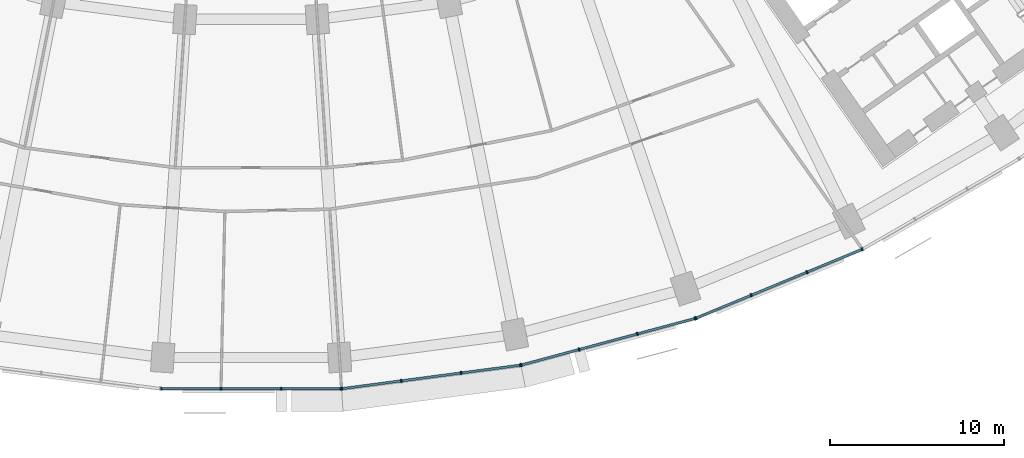
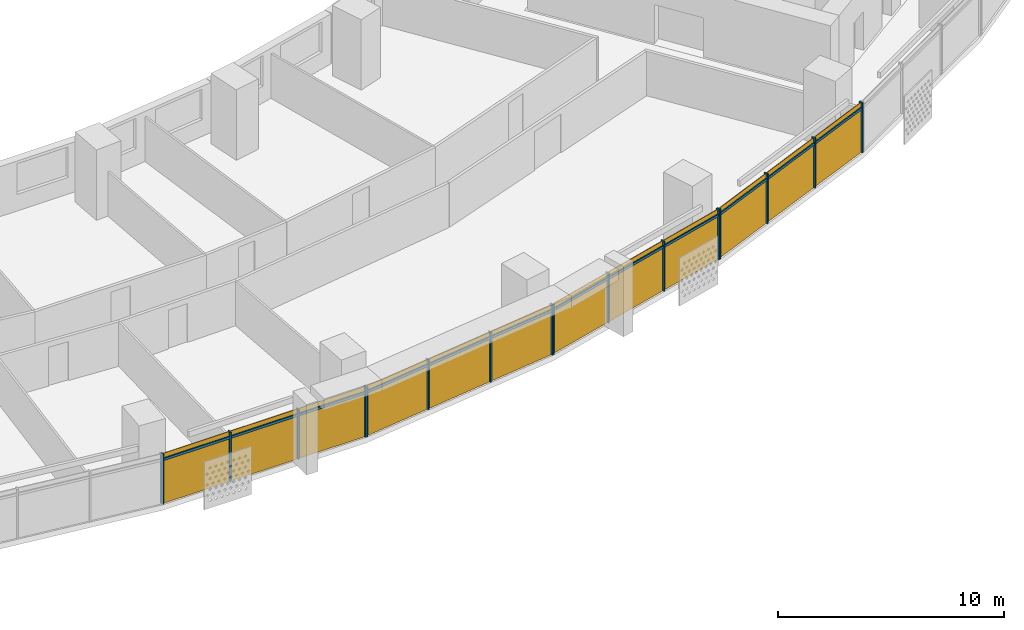
# One storey, part 21 of 31: 28 members, 4 curtain walls.
"""IFC4 building model written with IfcOpenShell, lengths in metres."""

from ifc_helpers import new_model, si_unit, direction, frame, origin, origin_2d, place, context, subcontext, project, spatial, rectangle, extrude, material, material_profile, profile_set, type_object, element, aggregate, save


model = new_model("IFC4")

# Units and contexts
model_context = context("Model", 3, precision=1e-05, world=origin(), true_north=direction((0.0, 1.0)))
body_context = subcontext(model_context, "Body", "Model", "MODEL_VIEW")
ifc_project = project(units=[si_unit("LENGTHUNIT", "METRE"), si_unit("AREAUNIT", "SQUARE_METRE"), si_unit("VOLUMEUNIT", "CUBIC_METRE"), si_unit("PLANEANGLEUNIT", "RADIAN"), si_unit("MASSUNIT", "GRAM", prefix="KILO")], contexts=[model_context])

# Member
ifc_material = material(Name="Aluminium 6063-T6 anodised", Category="aluminium")
ifc_material_profile_1 = material_profile(ifc_material, rectangle(XDim=0.199951171875, YDim=0.070068359375, at=origin_2d()))
ifc_profile_set_1 = profile_set([ifc_material_profile_1], Name="Aluminium 6063-T6 anodised")
member_type_1 = type_object("IfcMemberType", Name="Mullion 70 x 200 aluminium", PredefinedType="MULLION", material=ifc_profile_set_1)
site_placement = place(None, origin())
building_placement = place(site_placement, origin())
storey_placement = place(building_placement, frame((0.0, 0.0, 51.89990234375)))
member_1_placement = place(storey_placement, frame((-5.17431640625, -79.37939453125, 0.0), z_axis=(0.0, 0.0, 1.0), x_axis=(0.0, 1.0, 0.0)))
member_1 = element("IfcMember", 1, at=member_1_placement, type_object=member_type_1, Name="e-cw1-L09-out08/M00", PredefinedType="MULLION", context=body_context, shape_type="SweptSolid", body=[
    extrude(rectangle(XDim=0.199951171875, YDim=0.070068359375, at=origin_2d()), origin(), (0.0, 0.0, 1.0), 2.7001953125),
])

member_2_placement = place(storey_placement, frame((-1.736572265625, -79.37939453125, 0.0), z_axis=(0.0, 0.0, 1.0), x_axis=(0.0, 1.0, 0.0)))
member_2 = element("IfcMember", 2, at=member_2_placement, type_object=member_type_1, Name="e-cw1-L09-out08/M01", PredefinedType="MULLION", context=body_context, shape_type="SweptSolid", body=[
    extrude(rectangle(XDim=0.199951171875, YDim=0.070068359375, at=origin_2d()), origin(), (0.0, 0.0, 1.0), 2.7001953125),
])

member_3_placement = place(storey_placement, frame((1.736572265625, -79.37939453125, 0.0), z_axis=(0.0, 0.0, 1.0), x_axis=(0.0, 1.0, 0.0)))
member_3 = element("IfcMember", 3, at=member_3_placement, type_object=member_type_1, Name="e-cw1-L09-out08/M02", PredefinedType="MULLION", context=body_context, shape_type="SweptSolid", body=[
    extrude(rectangle(XDim=0.199951171875, YDim=0.070068359375, at=origin_2d()), origin(), (0.0, 0.0, 1.0), 2.7001953125),
])

member_4_placement = place(storey_placement, frame((5.17431640625, -79.37939453125, 0.0), z_axis=(0.0, 0.0, 1.0), x_axis=(0.0, 1.0, 0.0)))
member_4 = element("IfcMember", 4, at=member_4_placement, type_object=member_type_1, Name="e-cw1-L09-out08/M03", PredefinedType="MULLION", context=body_context, shape_type="SweptSolid", body=[
    extrude(rectangle(XDim=0.199951171875, YDim=0.070068359375, at=origin_2d()), origin(), (0.0, 0.0, 1.0), 2.7001953125),
])

member_5_placement = place(storey_placement, frame((5.23095703125, -79.375732421875, 0.0), z_axis=(0.0, 0.0, 1.0), x_axis=(-0.13052619222, 0.991444861374, 0.0)))
member_5 = element("IfcMember", 5, at=member_5_placement, type_object=member_type_1, Name="e-cw1-L09-out09/M00", PredefinedType="MULLION", context=body_context, shape_type="SweptSolid", body=[
    extrude(rectangle(XDim=0.199951171875, YDim=0.070068359375, at=origin_2d()), origin(), (0.0, 0.0, 1.0), 2.7001953125),
])

member_6_placement = place(storey_placement, frame((8.639404296875, -78.927001953125, 0.0), z_axis=(0.0, 0.0, 1.0), x_axis=(-0.13052619222, 0.991444861374, 0.0)))
member_6 = element("IfcMember", 6, at=member_6_placement, type_object=member_type_1, Name="e-cw1-L09-out09/M01", PredefinedType="MULLION", context=body_context, shape_type="SweptSolid", body=[
    extrude(rectangle(XDim=0.199951171875, YDim=0.070068359375, at=origin_2d()), origin(), (0.0, 0.0, 1.0), 2.7001953125),
])

member_7_placement = place(storey_placement, frame((12.082763671875, -78.4736328125, 0.0), z_axis=(0.0, 0.0, 1.0), x_axis=(-0.13052619222, 0.991444861374, 0.0)))
member_7 = element("IfcMember", 7, at=member_7_placement, type_object=member_type_1, Name="e-cw1-L09-out09/M02", PredefinedType="MULLION", context=body_context, shape_type="SweptSolid", body=[
    extrude(rectangle(XDim=0.199951171875, YDim=0.070068359375, at=origin_2d()), origin(), (0.0, 0.0, 1.0), 2.7001953125),
])

member_8_placement = place(storey_placement, frame((15.4912109375, -78.02490234375, 0.0), z_axis=(0.0, 0.0, 1.0), x_axis=(-0.13052619222, 0.991444861374, 0.0)))
member_8 = element("IfcMember", 8, at=member_8_placement, type_object=member_type_1, Name="e-cw1-L09-out09/M03", PredefinedType="MULLION", context=body_context, shape_type="SweptSolid", body=[
    extrude(rectangle(XDim=0.199951171875, YDim=0.070068359375, at=origin_2d()), origin(), (0.0, 0.0, 1.0), 2.7001953125),
])

member_9_placement = place(storey_placement, frame((15.546875, -78.013916015625, 0.0), z_axis=(0.0, 0.0, 1.0), x_axis=(-0.258819045103, 0.965925826289, 0.0)))
member_9 = element("IfcMember", 9, at=member_9_placement, type_object=member_type_1, Name="e-cw1-L09-out10/M00", PredefinedType="MULLION", context=body_context, shape_type="SweptSolid", body=[
    extrude(rectangle(XDim=0.199951171875, YDim=0.070068359375, at=origin_2d()), origin(), (0.0, 0.0, 1.0), 2.7001953125),
])

member_10_placement = place(storey_placement, frame((18.86767578125, -77.1240234375, 0.0), z_axis=(0.0, 0.0, 1.0), x_axis=(-0.258819045103, 0.965925826289, 0.0)))
member_10 = element("IfcMember", 10, at=member_10_placement, type_object=member_type_1, Name="e-cw1-L09-out10/M01", PredefinedType="MULLION", context=body_context, shape_type="SweptSolid", body=[
    extrude(rectangle(XDim=0.199951171875, YDim=0.070068359375, at=origin_2d()), origin(), (0.0, 0.0, 1.0), 2.7001953125),
])

member_11_placement = place(storey_placement, frame((22.22216796875, -76.225341796875, 0.0), z_axis=(0.0, 0.0, 1.0), x_axis=(-0.258819045103, 0.965925826289, 0.0)))
member_11 = element("IfcMember", 11, at=member_11_placement, type_object=member_type_1, Name="e-cw1-L09-out10/M02", PredefinedType="MULLION", context=body_context, shape_type="SweptSolid", body=[
    extrude(rectangle(XDim=0.199951171875, YDim=0.070068359375, at=origin_2d()), origin(), (0.0, 0.0, 1.0), 2.7001953125),
])

member_12_placement = place(storey_placement, frame((25.54296875, -75.33544921875, 0.0), z_axis=(0.0, 0.0, 1.0), x_axis=(-0.258819045103, 0.965925826289, 0.0)))
member_12 = element("IfcMember", 12, at=member_12_placement, type_object=member_type_1, Name="e-cw1-L09-out10/M03", PredefinedType="MULLION", context=body_context, shape_type="SweptSolid", body=[
    extrude(rectangle(XDim=0.199951171875, YDim=0.070068359375, at=origin_2d()), origin(), (0.0, 0.0, 1.0), 2.7001953125),
])

member_13_placement = place(storey_placement, frame((25.5966796875, -75.317138671875, 0.0), z_axis=(0.0, 0.0, 1.0), x_axis=(-0.382683432365, 0.923879532511, 0.0)))
member_13 = element("IfcMember", 13, at=member_13_placement, type_object=member_type_1, Name="e-cw1-L09-out11/M00", PredefinedType="MULLION", context=body_context, shape_type="SweptSolid", body=[
    extrude(rectangle(XDim=0.199951171875, YDim=0.070068359375, at=origin_2d()), origin(), (0.0, 0.0, 1.0), 2.7001953125),
])

member_14_placement = place(storey_placement, frame((28.77294921875, -74.00146484375, 0.0), z_axis=(0.0, 0.0, 1.0), x_axis=(-0.382683432365, 0.923879532511, 0.0)))
member_14 = element("IfcMember", 14, at=member_14_placement, type_object=member_type_1, Name="e-cw1-L09-out11/M01", PredefinedType="MULLION", context=body_context, shape_type="SweptSolid", body=[
    extrude(rectangle(XDim=0.199951171875, YDim=0.070068359375, at=origin_2d()), origin(), (0.0, 0.0, 1.0), 2.7001953125),
])

member_15_placement = place(storey_placement, frame((31.9814453125, -72.672607421875, 0.0), z_axis=(0.0, 0.0, 1.0), x_axis=(-0.382683432365, 0.923879532511, 0.0)))
member_15 = element("IfcMember", 15, at=member_15_placement, type_object=member_type_1, Name="e-cw1-L09-out11/M02", PredefinedType="MULLION", context=body_context, shape_type="SweptSolid", body=[
    extrude(rectangle(XDim=0.199951171875, YDim=0.070068359375, at=origin_2d()), origin(), (0.0, 0.0, 1.0), 2.7001953125),
])

member_16_placement = place(storey_placement, frame((35.15771484375, -71.35693359375, 0.0), z_axis=(0.0, 0.0, 1.0), x_axis=(-0.382683432365, 0.923879532511, 0.0)))
member_16 = element("IfcMember", 16, at=member_16_placement, type_object=member_type_1, Name="e-cw1-L09-out11/M03", PredefinedType="MULLION", context=body_context, shape_type="SweptSolid", body=[
    extrude(rectangle(XDim=0.199951171875, YDim=0.070068359375, at=origin_2d()), origin(), (0.0, 0.0, 1.0), 2.7001953125),
])

ifc_material_profile_2 = material_profile(ifc_material, rectangle(XDim=0.139892578125, YDim=0.1201171875, at=origin_2d()))
ifc_profile_set_2 = profile_set([ifc_material_profile_2], Name="Aluminium 6063-T6 anodised")
member_type_2 = type_object("IfcMemberType", Name="Transom 120 x 140 aluminium", PredefinedType="USERDEFINED", material=ifc_profile_set_2)
member_17_placement = place(storey_placement, frame((-5.139404296875, -79.37939453125, 2.400146484375), z_axis=(1.0, 0.0, 0.0), x_axis=(0.0, 1.0, 0.0)))
member_17 = element("IfcMember", 17, at=member_17_placement, type_object=member_type_2, Name="e-cw1-L09-out08/T00", ObjectType="TRANSOM", PredefinedType="USERDEFINED", context=body_context, shape_type="SweptSolid", body=[
    extrude(rectangle(XDim=0.139892578125, YDim=0.1201171875, at=origin_2d()), origin(), (0.0, 0.0, 1.0), 3.367919921875),
])

member_18_placement = place(storey_placement, frame((-1.701416015625, -79.37939453125, 2.400146484375), z_axis=(1.0, 0.0, 0.0), x_axis=(0.0, 1.0, 0.0)))
member_18 = element("IfcMember", 18, at=member_18_placement, type_object=member_type_2, Name="e-cw1-L09-out08/T01", ObjectType="TRANSOM", PredefinedType="USERDEFINED", context=body_context, shape_type="SweptSolid", body=[
    extrude(rectangle(XDim=0.139892578125, YDim=0.1201171875, at=origin_2d()), origin(), (0.0, 0.0, 1.0), 3.40283203125),
])

member_19_placement = place(storey_placement, frame((1.771484375, -79.37939453125, 2.400146484375), z_axis=(1.0, 0.0, 0.0), x_axis=(0.0, 1.0, 0.0)))
member_19 = element("IfcMember", 19, at=member_19_placement, type_object=member_type_2, Name="e-cw1-L09-out08/T02", ObjectType="TRANSOM", PredefinedType="USERDEFINED", context=body_context, shape_type="SweptSolid", body=[
    extrude(rectangle(XDim=0.139892578125, YDim=0.1201171875, at=origin_2d()), origin(), (0.0, 0.0, 1.0), 3.367919921875),
])

member_20_placement = place(storey_placement, frame((5.265625, -79.37109375, 2.400146484375), z_axis=(0.991450594138, 0.130482640159, 0.0), x_axis=(-0.130482640159, 0.991450594138, 0.0)))
member_20 = element("IfcMember", 20, at=member_20_placement, type_object=member_type_2, Name="e-cw1-L09-out09/T00", ObjectType="TRANSOM", PredefinedType="USERDEFINED", context=body_context, shape_type="SweptSolid", body=[
    extrude(rectangle(XDim=0.139892578125, YDim=0.1201171875, at=origin_2d()), origin(), (0.0, 0.0, 1.0), 3.367919921875),
])

member_21_placement = place(storey_placement, frame((8.67431640625, -78.92236328125, 2.400146484375), z_axis=(0.991447700941, 0.130504621753, 0.0), x_axis=(-0.130504621753, 0.991447700941, 0.0)))
member_21 = element("IfcMember", 21, at=member_21_placement, type_object=member_type_2, Name="e-cw1-L09-out09/T01", ObjectType="TRANSOM", PredefinedType="USERDEFINED", context=body_context, shape_type="SweptSolid", body=[
    extrude(rectangle(XDim=0.139892578125, YDim=0.1201171875, at=origin_2d()), origin(), (0.0, 0.0, 1.0), 3.40283203125),
])

member_22_placement = place(storey_placement, frame((12.117431640625, -78.46923828125, 2.400146484375), z_axis=(0.9914412138, 0.130553895303, 0.0), x_axis=(-0.130553895303, 0.9914412138, 0.0)))
member_22 = element("IfcMember", 22, at=member_22_placement, type_object=member_type_2, Name="e-cw1-L09-out09/T02", ObjectType="TRANSOM", PredefinedType="USERDEFINED", context=body_context, shape_type="SweptSolid", body=[
    extrude(rectangle(XDim=0.139892578125, YDim=0.1201171875, at=origin_2d()), origin(), (0.0, 0.0, 1.0), 3.367919921875),
])

member_23_placement = place(storey_placement, frame((15.58056640625, -78.0048828125, 2.400146484375), z_axis=(0.965915368772, 0.258858069935, 0.0), x_axis=(-0.258858069935, 0.965915368772, 0.0)))
member_23 = element("IfcMember", 23, at=member_23_placement, type_object=member_type_2, Name="e-cw1-L09-out10/T00", ObjectType="TRANSOM", PredefinedType="USERDEFINED", context=body_context, shape_type="SweptSolid", body=[
    extrude(rectangle(XDim=0.139892578125, YDim=0.1201171875, at=origin_2d()), origin(), (0.0, 0.0, 1.0), 3.367919921875),
])

member_24_placement = place(storey_placement, frame((18.9013671875, -77.114990234375, 2.400146484375), z_axis=(0.965937804901, 0.258774336176, 0.0), x_axis=(-0.258774336176, 0.965937804901, 0.0)))
member_24 = element("IfcMember", 24, at=member_24_placement, type_object=member_type_2, Name="e-cw1-L09-out10/T01", ObjectType="TRANSOM", PredefinedType="USERDEFINED", context=body_context, shape_type="SweptSolid", body=[
    extrude(rectangle(XDim=0.139892578125, YDim=0.1201171875, at=origin_2d()), origin(), (0.0, 0.0, 1.0), 3.403076171875),
])

member_25_placement = place(storey_placement, frame((22.256103515625, -76.21630859375, 2.400146484375), z_axis=(0.965915368772, 0.258858069935, 0.0), x_axis=(-0.258858069935, 0.965915368772, 0.0)))
member_25 = element("IfcMember", 25, at=member_25_placement, type_object=member_type_2, Name="e-cw1-L09-out10/T02", ObjectType="TRANSOM", PredefinedType="USERDEFINED", context=body_context, shape_type="SweptSolid", body=[
    extrude(rectangle(XDim=0.139892578125, YDim=0.1201171875, at=origin_2d()), origin(), (0.0, 0.0, 1.0), 3.367919921875),
])

member_26_placement = place(storey_placement, frame((25.629150390625, -75.3037109375, 2.400146484375), z_axis=(0.923872807855, 0.382699666719, 0.0), x_axis=(-0.382699666719, 0.923872807855, 0.0)))
member_26 = element("IfcMember", 26, at=member_26_placement, type_object=member_type_2, Name="e-cw1-L09-out11/T00", ObjectType="TRANSOM", PredefinedType="USERDEFINED", context=body_context, shape_type="SweptSolid", body=[
    extrude(rectangle(XDim=0.139892578125, YDim=0.1201171875, at=origin_2d()), origin(), (0.0, 0.0, 1.0), 3.36767578125),
])

member_27_placement = place(storey_placement, frame((28.80517578125, -73.98828125, 2.400146484375), z_axis=(0.92388567708, 0.382668597728, 0.0), x_axis=(-0.382668597728, 0.92388567708, 0.0)))
member_27 = element("IfcMember", 27, at=member_27_placement, type_object=member_type_2, Name="e-cw1-L09-out11/T01", ObjectType="TRANSOM", PredefinedType="USERDEFINED", context=body_context, shape_type="SweptSolid", body=[
    extrude(rectangle(XDim=0.139892578125, YDim=0.1201171875, at=origin_2d()), origin(), (0.0, 0.0, 1.0), 3.403076171875),
])

member_28_placement = place(storey_placement, frame((32.013916015625, -72.6591796875, 2.400146484375), z_axis=(0.923872807855, 0.382699666719, 0.0), x_axis=(-0.382699666719, 0.923872807855, 0.0)))
member_28 = element("IfcMember", 28, at=member_28_placement, type_object=member_type_2, Name="e-cw1-L09-out11/T02", ObjectType="TRANSOM", PredefinedType="USERDEFINED", context=body_context, shape_type="SweptSolid", body=[
    extrude(rectangle(XDim=0.139892578125, YDim=0.1201171875, at=origin_2d()), origin(), (0.0, 0.0, 1.0), 3.36767578125),
])

# Site, building, storey
site = spatial("IfcSite", under=ifc_project, at=site_placement, CompositionType="ELEMENT")
building = spatial("IfcBuilding", under=site, at=building_placement, Name="Qamariyya Broadcast Tower", CompositionType="ELEMENT")
storey = spatial("IfcBuildingStorey", under=building, at=storey_placement, Name="L09", CompositionType="ELEMENT", Elevation=51.89990234375)

# Curtain wall
curtain_wall_type = type_object("IfcCurtainWallType", Name="Unitised curtain wall, anodised aluminium", PredefinedType="NOTDEFINED", material=ifc_material)
curtain_wall_1_placement = place(storey_placement, origin())
curtain_wall_1 = element("IfcCurtainWall", 29, at=curtain_wall_1_placement, inside=storey, type_object=curtain_wall_type, Name="e-cw1-L09-out08", PredefinedType="NOTDEFINED", context=body_context, shape_type="SweptSolid", body=[
    extrude(rectangle(XDim=3.367919921875, YDim=0.031982421875, at=origin_2d()), frame((-3.45556640625, -79.37939453125, 0.0), x_axis=(1.0, 0.0, 0.0)), (0.0, 0.0, 1.0), 2.340087890625),
    extrude(rectangle(XDim=3.367919921875, YDim=0.031982421875, at=origin_2d()), frame((-3.45556640625, -79.37939453125, 2.460205078125), x_axis=(1.0, 0.0, 0.0)), (0.0, 0.0, 1.0), 0.239990234375),
    extrude(rectangle(XDim=3.403076171875, YDim=0.031982421875, at=origin_2d()), frame((0.0, -79.37939453125, 0.0), x_axis=(1.0, 0.0, 0.0)), (0.0, 0.0, 1.0), 2.340087890625),
    extrude(rectangle(XDim=3.403076171875, YDim=0.031982421875, at=origin_2d()), frame((0.0, -79.37939453125, 2.460205078125), x_axis=(1.0, 0.0, 0.0)), (0.0, 0.0, 1.0), 0.239990234375),
    extrude(rectangle(XDim=3.367919921875, YDim=0.031982421875, at=origin_2d()), frame((3.45556640625, -79.37939453125, 0.0), x_axis=(1.0, 0.0, 0.0)), (0.0, 0.0, 1.0), 2.340087890625),
    extrude(rectangle(XDim=3.367919921875, YDim=0.031982421875, at=origin_2d()), frame((3.45556640625, -79.37939453125, 2.460205078125), x_axis=(1.0, 0.0, 0.0)), (0.0, 0.0, 1.0), 0.239990234375),
])

aggregate(curtain_wall_1, [member_1, member_2, member_3, member_4, member_17, member_18, member_19])

curtain_wall_2_placement = place(storey_placement, origin())
curtain_wall_2 = element("IfcCurtainWall", 30, at=curtain_wall_2_placement, inside=storey, type_object=curtain_wall_type, Name="e-cw1-L09-out09", PredefinedType="NOTDEFINED", context=body_context, shape_type="SweptSolid", body=[
    extrude(rectangle(XDim=3.367919921875, YDim=0.031982421875, at=origin_2d()), frame((6.935302734375, -79.1513671875, 0.0), x_axis=(0.991445519925, 0.130521189931, 0.0)), (0.0, 0.0, 1.0), 2.340087890625),
    extrude(rectangle(XDim=3.367919921875, YDim=0.031982421875, at=origin_2d()), frame((6.935302734375, -79.1513671875, 2.460205078125), x_axis=(0.991445519925, 0.130521189931, 0.0)), (0.0, 0.0, 1.0), 0.239990234375),
    extrude(rectangle(XDim=3.40283203125, YDim=0.031982421875, at=origin_2d()), frame((10.361083984375, -78.700439453125, 0.0), x_axis=(0.991445519925, 0.130521189931, 0.0)), (0.0, 0.0, 1.0), 2.340087890625),
    extrude(rectangle(XDim=3.40283203125, YDim=0.031982421875, at=origin_2d()), frame((10.361083984375, -78.700439453125, 2.460205078125), x_axis=(0.991445519925, 0.130521189931, 0.0)), (0.0, 0.0, 1.0), 0.239990234375),
    extrude(rectangle(XDim=3.367919921875, YDim=0.031982421875, at=origin_2d()), frame((13.786865234375, -78.24951171875, 0.0), x_axis=(0.991445519925, 0.130521189931, 0.0)), (0.0, 0.0, 1.0), 2.340087890625),
    extrude(rectangle(XDim=3.367919921875, YDim=0.031982421875, at=origin_2d()), frame((13.786865234375, -78.24951171875, 2.460205078125), x_axis=(0.991445519925, 0.130521189931, 0.0)), (0.0, 0.0, 1.0), 0.239990234375),
])

aggregate(curtain_wall_2, [member_5, member_6, member_7, member_8, member_20, member_21, member_22])

curtain_wall_3_placement = place(storey_placement, origin())
curtain_wall_3 = element("IfcCurtainWall", 31, at=curtain_wall_3_placement, inside=storey, type_object=curtain_wall_type, Name="e-cw1-L09-out10", PredefinedType="NOTDEFINED", context=body_context, shape_type="SweptSolid", body=[
    extrude(rectangle(XDim=3.367919921875, YDim=0.031982421875, at=origin_2d()), frame((17.207275390625, -77.569091796875, 0.0), x_axis=(0.965925039578, 0.258821981129, 0.0)), (0.0, 0.0, 1.0), 2.340087890625),
    extrude(rectangle(XDim=3.367919921875, YDim=0.031982421875, at=origin_2d()), frame((17.207275390625, -77.569091796875, 2.460205078125), x_axis=(0.965925039578, 0.258821981129, 0.0)), (0.0, 0.0, 1.0), 0.239990234375),
    extrude(rectangle(XDim=3.40283203125, YDim=0.031982421875, at=origin_2d()), frame((20.544921875, -76.6748046875, 0.0), x_axis=(0.965925039578, 0.258821981129, 0.0)), (0.0, 0.0, 1.0), 2.340087890625),
    extrude(rectangle(XDim=3.40283203125, YDim=0.031982421875, at=origin_2d()), frame((20.544921875, -76.6748046875, 2.460205078125), x_axis=(0.965925039578, 0.258821981129, 0.0)), (0.0, 0.0, 1.0), 0.239990234375),
    extrude(rectangle(XDim=3.367919921875, YDim=0.031982421875, at=origin_2d()), frame((23.882568359375, -75.7802734375, 0.0), x_axis=(0.965925039578, 0.258821981129, 0.0)), (0.0, 0.0, 1.0), 2.340087890625),
    extrude(rectangle(XDim=3.367919921875, YDim=0.031982421875, at=origin_2d()), frame((23.882568359375, -75.7802734375, 2.460205078125), x_axis=(0.965925039578, 0.258821981129, 0.0)), (0.0, 0.0, 1.0), 0.239990234375),
])

aggregate(curtain_wall_3, [member_9, member_10, member_11, member_12, member_23, member_24, member_25])

curtain_wall_4_placement = place(storey_placement, origin())
curtain_wall_4 = element("IfcCurtainWall", 32, at=curtain_wall_4_placement, inside=storey, type_object=curtain_wall_type, Name="e-cw1-L09-out11", PredefinedType="NOTDEFINED", context=body_context, shape_type="SweptSolid", body=[
    extrude(rectangle(XDim=3.367919921875, YDim=0.031982421875, at=origin_2d()), frame((27.184814453125, -74.659423828125, 0.0), x_axis=(0.92387774222, 0.382687754482, 0.0)), (0.0, 0.0, 1.0), 2.340087890625),
    extrude(rectangle(XDim=3.367919921875, YDim=0.031982421875, at=origin_2d()), frame((27.184814453125, -74.659423828125, 2.460205078125), x_axis=(0.92387774222, 0.382687754482, 0.0)), (0.0, 0.0, 1.0), 0.239990234375),
    extrude(rectangle(XDim=3.40283203125, YDim=0.031982421875, at=origin_2d()), frame((30.377197265625, -73.3369140625, 0.0), x_axis=(0.92387774222, 0.382687754482, 0.0)), (0.0, 0.0, 1.0), 2.340087890625),
    extrude(rectangle(XDim=3.40283203125, YDim=0.031982421875, at=origin_2d()), frame((30.377197265625, -73.3369140625, 2.460205078125), x_axis=(0.92387774222, 0.382687754482, 0.0)), (0.0, 0.0, 1.0), 0.239990234375),
    extrude(rectangle(XDim=3.367919921875, YDim=0.031982421875, at=origin_2d()), frame((33.569580078125, -72.0146484375, 0.0), x_axis=(0.92387774222, 0.382687754482, 0.0)), (0.0, 0.0, 1.0), 2.340087890625),
    extrude(rectangle(XDim=3.367919921875, YDim=0.031982421875, at=origin_2d()), frame((33.569580078125, -72.0146484375, 2.460205078125), x_axis=(0.92387774222, 0.382687754482, 0.0)), (0.0, 0.0, 1.0), 0.239990234375),
])

aggregate(curtain_wall_4, [member_13, member_14, member_15, member_16, member_26, member_27, member_28])

save(model, "model.ifc")
